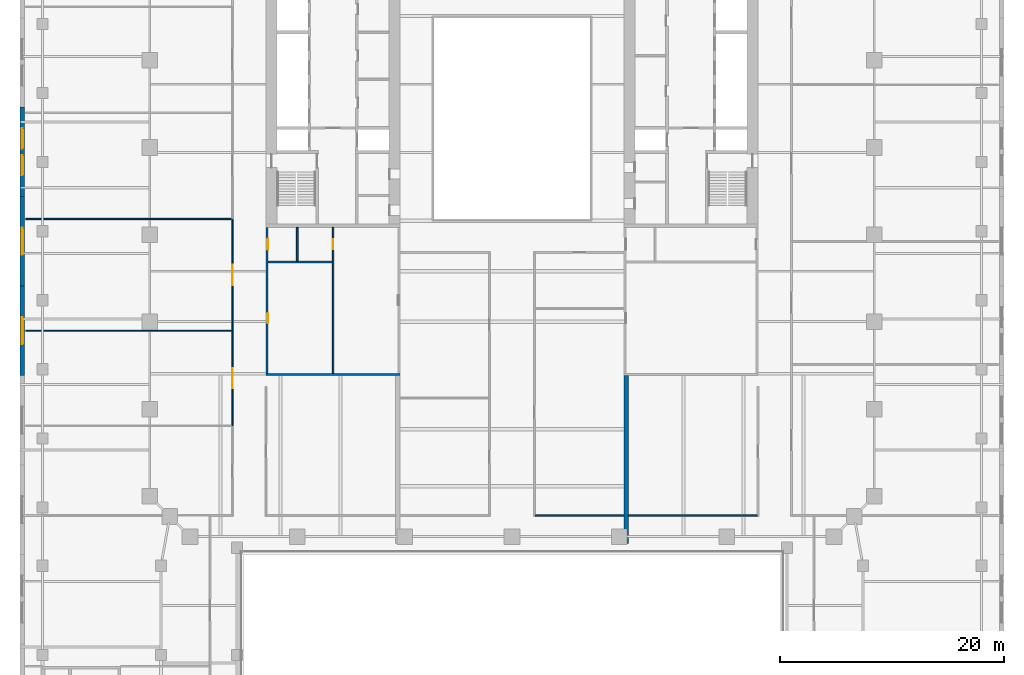
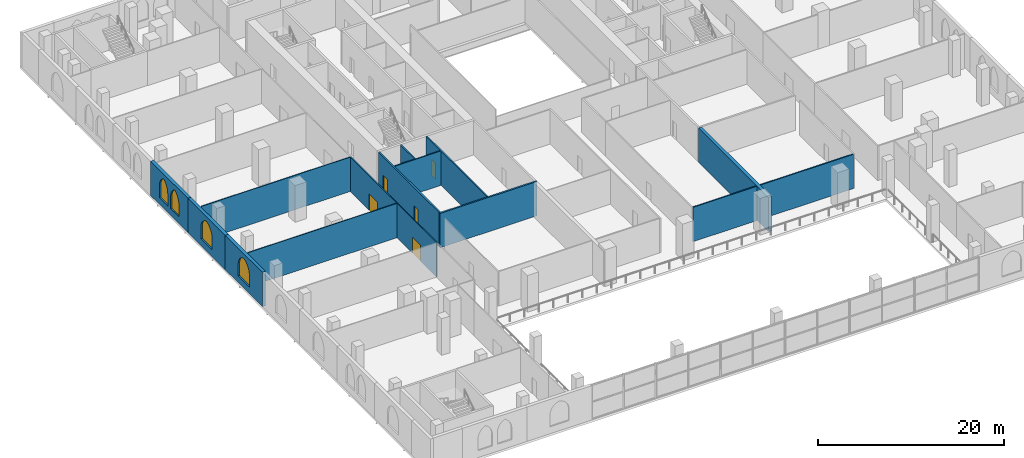
# One storey, part 9 of 19: 15 walls, 5 doors, 4 windows, 9 openings.
"""IFC4 building model written with IfcOpenShell, lengths in metres."""

from ifc_helpers import new_model, si_unit, direction, frame, frame_2d, origin, place, context, subcontext, project, spatial, polyline, rectangle, outline, extrude, material, layer, layer_set, type_object, element, fill, save


model = new_model("IFC4")

# Units and contexts
model_context = context("Model", 3, precision=1e-05, world=origin(), true_north=direction((0.0, 1.0)))
body_context = subcontext(model_context, "Body", "Model", "MODEL_VIEW")
ifc_project = project(units=[si_unit("LENGTHUNIT", "METRE"), si_unit("AREAUNIT", "SQUARE_METRE"), si_unit("VOLUMEUNIT", "CUBIC_METRE"), si_unit("PLANEANGLEUNIT", "RADIAN"), si_unit("MASSUNIT", "GRAM", prefix="KILO")], contexts=[model_context])

# Site, building, storey
site_placement = place(None, origin())
site = spatial("IfcSite", under=ifc_project, at=site_placement, CompositionType="ELEMENT")
building_placement = place(site_placement, origin())
building = spatial("IfcBuilding", under=site, at=building_placement, Name="Ogive Exchange Tower", CompositionType="ELEMENT")
storey_placement = place(building_placement, frame((0.0, 0.0, 19.199951171875)))
storey = spatial("IfcBuildingStorey", under=building, at=storey_placement, Name="L03", CompositionType="ELEMENT", Elevation=19.199951171875)

# Wall
ifc_material_1 = material(Name="Concrete C70/85", Category="concrete")
ifc_layer_1 = layer(ifc_material_1, 0.39990234375)
ifc_layer_set_1 = layer_set([ifc_layer_1], Name="Concrete C70/85 spine wall 400")
wall_type_1 = type_object("IfcWallType", Name="Concrete C70/85 spine wall 400", PredefinedType="SHEAR", material=ifc_layer_set_1)
wall_1_placement = place(storey_placement, frame((10.199951171875, -31.0, 0.0), z_axis=(0.0, 0.0, 1.0), x_axis=(0.0, 1.0, 0.0)))
element("IfcWall", 1, at=wall_1_placement, inside=storey, type_object=wall_type_1, Name="Spine wall SE", PredefinedType="SHEAR", context=body_context, shape_type="SweptSolid", body=[
    extrude(rectangle(XDim=15.0, YDim=0.39990234375, at=frame_2d((7.5, 0.0))), origin(), (0.0, 0.0, 1.0), 4.5),
])

# Wall, opening, door
ifc_material_2 = material(Name="Gypsum board partition")
ifc_layer_2 = layer(ifc_material_2, 0.14990234375)
ifc_layer_set_2 = layer_set([ifc_layer_2], Name="Core room partition 150 gypsum")
wall_type_2 = type_object("IfcWallType", Name="Core room partition 150 gypsum", PredefinedType="PARTITIONING", material=ifc_layer_set_2)
wall_2_placement = place(storey_placement, frame((-16.0, -15.800048828125, 0.0), z_axis=(0.0, 0.0, 1.0), x_axis=(0.0, 1.0, 0.0)))
wall_2 = element("IfcWall", 2, at=wall_2_placement, inside=storey, type_object=wall_type_2, Name="W annex S column wall", PredefinedType="PARTITIONING", context=body_context, shape_type="SweptSolid", body=[
    extrude(rectangle(XDim=13.050048828125, YDim=0.14990234375, at=frame_2d((6.52490234375, 0.0))), origin(), (0.0, 0.0, 1.0), 4.5),
])
opening_1_placement = place(wall_2_placement, frame((11.08740234375, 0.0, 0.0)))
opening_1 = element("IfcOpeningElement", 3, at=opening_1_placement, cuts=wall_2, Name="Opening L03-C22", PredefinedType="OPENING", context=body_context, shape_type="SweptSolid", body=[
    extrude(rectangle(XDim=0.89990234375, YDim=2.10009765625, at=frame_2d((0.449951171875, 1.050048828125))), frame((0.0, 0.0849609375, 0.0), z_axis=(0.0, -1.0, 0.0), x_axis=(1.0, 0.0, 0.0)), (0.0, 0.0, 1.0), 0.169921875),
])
ifc_material_3 = material(Name="Steel fire door", Category="steel")
door_type_1 = type_object("IfcDoorType", Name="Riser door FD60 900 x 2100", OperationType="NOTDEFINED", PredefinedType="DOOR", material=ifc_material_3)
door_1_placement = place(opening_1_placement, origin())
door_1 = element("IfcDoor", 4, at=door_1_placement, inside=storey, type_object=door_type_1, Name="Riser door", ObjectType="CD2", OperationType="SINGLE_SWING_LEFT", OverallHeight=2.10009765625, OverallWidth=0.89990234375, PredefinedType="DOOR", context=body_context, shape_type="SweptSolid", body=[
    extrude(rectangle(XDim=0.89990234375, YDim=2.10009765625, at=frame_2d((0.449951171875, 1.050048828125))), frame((0.0, 0.02490234375, 0.0), z_axis=(0.0, -1.0, 0.0), x_axis=(1.0, 0.0, 0.0)), (0.0, 0.0, 1.0), 0.050048828125),
])
fill(opening_1, door_1)

# Walls
wall_3_placement = place(storey_placement, frame((-21.800048828125, -5.85009765625, 0.0), z_axis=(0.0, 0.0, 1.0), x_axis=(1.0, 0.0, 0.0)))
element("IfcWall", 5, at=wall_3_placement, inside=storey, type_object=wall_type_2, Name="W annex S wc strip wall 00", PredefinedType="PARTITIONING", context=body_context, shape_type="SweptSolid", body=[
    extrude(rectangle(XDim=5.72509765625, YDim=0.14990234375, at=frame_2d((2.862548828125, 0.0))), origin(), (0.0, 0.0, 1.0), 4.5),
])
wall_4_placement = place(storey_placement, frame((-19.199951171875, -5.77490234375, 0.0), z_axis=(0.0, 0.0, 1.0), x_axis=(0.0, 1.0, 0.0)))
element("IfcWall", 6, at=wall_4_placement, inside=storey, type_object=wall_type_2, Name="W annex S wc partition 00", PredefinedType="PARTITIONING", context=body_context, shape_type="SweptSolid", body=[
    extrude(rectangle(XDim=3.02490234375, YDim=0.14990234375, at=frame_2d((1.512451171875, 0.0))), origin(), (0.0, 0.0, 1.0), 4.5),
])
ifc_material_4 = material(Name="Fire partition EI 60 150")
ifc_layer_3 = layer(ifc_material_4, 0.14990234375)
ifc_layer_set_3 = layer_set([ifc_layer_3], Name="Fire partition EI 60 150")
wall_type_3 = type_object("IfcWallType", Name="Fire partition EI 60 150", PredefinedType="PARTITIONING", material=ifc_layer_set_3)
wall_5_placement = place(storey_placement, frame((2.074951171875, -28.5, 0.0), z_axis=(0.0, 0.0, 1.0), x_axis=(1.0, 0.0, 0.0)))
element("IfcWall", 7, at=wall_5_placement, inside=storey, type_object=wall_type_3, Name="L03-PWL-010", PredefinedType="PARTITIONING", context=body_context, shape_type="SweptSolid", body=[
    extrude(rectangle(XDim=7.925048828125, YDim=0.14990234375, at=frame_2d((3.96240234375, 0.0))), origin(), (0.0, 0.0, 1.0), 4.5),
])
wall_6_placement = place(storey_placement, frame((10.39990234375, -28.5, 0.0), z_axis=(0.0, 0.0, 1.0), x_axis=(1.0, 0.0, 0.0)))
element("IfcWall", 8, at=wall_6_placement, inside=storey, type_object=wall_type_3, Name="L03-PWL-011", PredefinedType="PARTITIONING", context=body_context, shape_type="SweptSolid", body=[
    extrude(rectangle(XDim=11.525146484375, YDim=0.14990234375, at=frame_2d((5.7626953125, 0.0))), origin(), (0.0, 0.0, 1.0), 4.5),
])

# Wall, opening, door
ifc_material_5 = material(Name="Glazed fire partition EI 60 120")
ifc_layer_4 = layer(ifc_material_5, 0.1201171875)
ifc_layer_set_4 = layer_set([ifc_layer_4], Name="Glazed fire partition EI 60 120")
wall_type_4 = type_object("IfcWallType", Name="Glazed fire partition EI 60 120", PredefinedType="PARTITIONING", material=ifc_layer_set_4)
wall_7_placement = place(storey_placement, frame((-25.0, -20.5, 0.0), z_axis=(0.0, 0.0, 1.0), x_axis=(0.0, 1.0, 0.0)))
wall_7 = element("IfcWall", 9, at=wall_7_placement, inside=storey, type_object=wall_type_4, Name="L03-PWL-044", PredefinedType="PARTITIONING", context=body_context, shape_type="SweptSolid", body=[
    extrude(rectangle(XDim=8.5, YDim=0.1201171875, at=frame_2d((4.25, 0.0))), origin(), (0.0, 0.0, 1.0), 4.5),
])
opening_2_placement = place(wall_7_placement, frame((3.35009765625, 0.0, 0.0)))
opening_2 = element("IfcOpeningElement", 10, at=opening_2_placement, cuts=wall_7, Name="Opening L03-I04", PredefinedType="OPENING", context=body_context, shape_type="SweptSolid", body=[
    extrude(rectangle(XDim=1.800048828125, YDim=2.10009765625, at=frame_2d((0.89990234375, 1.050048828125))), frame((0.0, 0.070068359375, 0.0), z_axis=(0.0, -1.0, 0.0), x_axis=(1.0, 0.0, 0.0)), (0.0, 0.0, 1.0), 0.14013671875),
])
ifc_material_6 = material(Name="Fire door FD 30S 1800 x 2100")
door_type_2 = type_object("IfcDoorType", Name="Fire door FD 30S 1800 x 2100", OperationType="DOUBLE_DOOR_SINGLE_SWING", PredefinedType="DOOR", material=ifc_material_6)
door_2_placement = place(opening_2_placement, origin())
door_2 = element("IfcDoor", 11, at=door_2_placement, inside=storey, type_object=door_type_2, Name="L03-IDR-004", ObjectType="DT4", OperationType="SINGLE_SWING_RIGHT", OverallHeight=2.10009765625, OverallWidth=1.800048828125, PredefinedType="DOOR", context=body_context, shape_type="SweptSolid", body=[
    extrude(rectangle(XDim=1.800048828125, YDim=2.10009765625, at=frame_2d((0.89990234375, 1.050048828125))), frame((0.0, 0.02490234375, 0.0), z_axis=(0.0, -1.0, 0.0), x_axis=(1.0, 0.0, 0.0)), (0.0, 0.0, 1.0), 0.050048828125),
])
fill(opening_2, door_2)

wall_8_placement = place(storey_placement, frame((-25.0, -12.0, 0.0), z_axis=(0.0, 0.0, 1.0), x_axis=(0.0, 1.0, 0.0)))
wall_8 = element("IfcWall", 12, at=wall_8_placement, inside=storey, type_object=wall_type_4, Name="L03-PWL-045", PredefinedType="PARTITIONING", context=body_context, shape_type="SweptSolid", body=[
    extrude(rectangle(XDim=10.0, YDim=0.1201171875, at=frame_2d((5.0, 0.0))), origin(), (0.0, 0.0, 1.0), 4.5),
])
opening_3_placement = place(wall_8_placement, frame((4.10009765625, 0.0, 0.0)))
opening_3 = element("IfcOpeningElement", 13, at=opening_3_placement, cuts=wall_8, Name="Opening L03-I05", PredefinedType="OPENING", context=body_context, shape_type="SweptSolid", body=[
    extrude(rectangle(XDim=1.800048828125, YDim=2.10009765625, at=frame_2d((0.89990234375, 1.050048828125))), frame((0.0, 0.070068359375, 0.0), z_axis=(0.0, -1.0, 0.0), x_axis=(1.0, 0.0, 0.0)), (0.0, 0.0, 1.0), 0.14013671875),
])
door_3_placement = place(opening_3_placement, origin())
door_3 = element("IfcDoor", 14, at=door_3_placement, inside=storey, type_object=door_type_2, Name="L03-IDR-005", ObjectType="DT4", OperationType="SINGLE_SWING_RIGHT", OverallHeight=2.10009765625, OverallWidth=1.800048828125, PredefinedType="DOOR", context=body_context, shape_type="SweptSolid", body=[
    extrude(rectangle(XDim=1.800048828125, YDim=2.10009765625, at=frame_2d((0.89990234375, 1.050048828125))), frame((0.0, 0.02490234375, 0.0), z_axis=(0.0, -1.0, 0.0), x_axis=(1.0, 0.0, 0.0)), (0.0, 0.0, 1.0), 0.050048828125),
])
fill(opening_3, door_3)

# Wall, openings, windows
ifc_material_7 = material(Name="Precast concrete C40/50", Category="concrete")
ifc_layer_5 = layer(ifc_material_7, 0.39990234375)
ifc_layer_set_5 = layer_set([ifc_layer_5], Name="Limestone-faced wall 400")
wall_type_5 = type_object("IfcWallType", Name="Limestone-faced wall 400", PredefinedType="STANDARD", material=ifc_layer_set_5)
wall_9_placement = place(storey_placement, frame((-43.800048828125, 8.0, 0.0), z_axis=(0.0, 0.0, 1.0), x_axis=(0.0, -1.0, 0.0)))
wall_9 = element("IfcWall", 15, at=wall_9_placement, inside=storey, type_object=wall_type_5, Name="Podium wall W5", PredefinedType="STANDARD", context=body_context, shape_type="SweptSolid", body=[
    extrude(rectangle(XDim=8.0, YDim=0.39990234375, at=frame_2d((4.0, 0.0))), origin(), (0.0, 0.0, 1.0), 4.5),
])
opening_4_placement = place(wall_9_placement, frame((1.89990234375, 0.0, 0.89990234375)))
opening_4 = element("IfcOpeningElement", 16, at=opening_4_placement, cuts=wall_9, Name="Opening WQ300", PredefinedType="OPENING", context=body_context, shape_type="SweptSolid", body=[
    extrude(outline(polyline([(0.0, 0.0), (1.800048828125, 0.0), (1.800048828125, 1.5), (1.78466796875, 1.72900390625), (1.73828125, 1.953857421875), (1.662353515625, 2.17041015625), (1.557861328125, 2.374755859375), (1.4267578125, 2.56298828125), (1.271484375, 2.73193359375), (1.0947265625, 2.878662109375), (0.89990234375, 3.0), (0.705322265625, 2.878662109375), (0.528564453125, 2.73193359375), (0.373291015625, 2.56298828125), (0.2421875, 2.374755859375), (0.1376953125, 2.17041015625), (0.061767578125, 1.953857421875), (0.015380859375, 1.72900390625), (0.0, 1.5), (0.0, 0.0)])), frame((0.0, 0.2099609375, 0.0), z_axis=(0.0, -1.0, 0.0), x_axis=(1.0, 0.0, 0.0)), (0.0, 0.0, 1.0), 0.419921875),
])
opening_5_placement = place(wall_9_placement, frame((4.300048828125, 0.0, 0.89990234375)))
opening_5 = element("IfcOpeningElement", 17, at=opening_5_placement, cuts=wall_9, Name="Opening WQ300", PredefinedType="OPENING", context=body_context, shape_type="SweptSolid", body=[
    extrude(outline(polyline([(0.0, 0.0), (1.800048828125, 0.0), (1.800048828125, 1.5), (1.78466796875, 1.72900390625), (1.73828125, 1.953857421875), (1.662353515625, 2.17041015625), (1.557861328125, 2.374755859375), (1.4267578125, 2.56298828125), (1.271484375, 2.73193359375), (1.0947265625, 2.878662109375), (0.89990234375, 3.0), (0.705322265625, 2.878662109375), (0.528564453125, 2.73193359375), (0.373291015625, 2.56298828125), (0.2421875, 2.374755859375), (0.1376953125, 2.17041015625), (0.061767578125, 1.953857421875), (0.015380859375, 1.72900390625), (0.0, 1.5), (0.0, 0.0)])), frame((0.0, 0.2099609375, 0.0), z_axis=(0.0, -1.0, 0.0), x_axis=(1.0, 0.0, 0.0)), (0.0, 0.0, 1.0), 0.419921875),
])
ifc_material_8 = material(Name="Clear glass in bronze frame", Category="glass")
window_type_1 = type_object("IfcWindowType", Name="Podium paired lancet 1800 x 3000", PartitioningType="DOUBLE_PANEL_VERTICAL", PredefinedType="WINDOW", material=ifc_material_8)
window_1_placement = place(opening_4_placement, origin())
window_1 = element("IfcWindow", 18, at=window_1_placement, inside=storey, type_object=window_type_1, Name="Podium paired lancet W5.1", OverallHeight=3.0, OverallWidth=1.800048828125, PartitioningType="DOUBLE_PANEL_VERTICAL", PredefinedType="WINDOW", context=body_context, shape_type="SweptSolid", body=[
    extrude(outline(polyline([(0.0, 0.0), (1.800048828125, 0.0), (1.800048828125, 1.5), (1.78466796875, 1.72900390625), (1.73828125, 1.953857421875), (1.662353515625, 2.17041015625), (1.557861328125, 2.374755859375), (1.4267578125, 2.56298828125), (1.271484375, 2.73193359375), (1.0947265625, 2.878662109375), (0.89990234375, 3.0), (0.705322265625, 2.878662109375), (0.528564453125, 2.73193359375), (0.373291015625, 2.56298828125), (0.2421875, 2.374755859375), (0.1376953125, 2.17041015625), (0.061767578125, 1.953857421875), (0.015380859375, 1.72900390625), (0.0, 1.5), (0.0, 0.0)])), frame((0.0, 0.030029296875, 0.0), z_axis=(0.0, -1.0, 0.0), x_axis=(1.0, 0.0, 0.0)), (0.0, 0.0, 1.0), 0.06005859375),
])
fill(opening_4, window_1)
window_2_placement = place(opening_5_placement, origin())
window_2 = element("IfcWindow", 19, at=window_2_placement, inside=storey, type_object=window_type_1, Name="Podium paired lancet W5.2", OverallHeight=3.0, OverallWidth=1.800048828125, PartitioningType="DOUBLE_PANEL_VERTICAL", PredefinedType="WINDOW", context=body_context, shape_type="SweptSolid", body=[
    extrude(outline(polyline([(0.0, 0.0), (1.800048828125, 0.0), (1.800048828125, 1.5), (1.78466796875, 1.72900390625), (1.73828125, 1.953857421875), (1.662353515625, 2.17041015625), (1.557861328125, 2.374755859375), (1.4267578125, 2.56298828125), (1.271484375, 2.73193359375), (1.0947265625, 2.878662109375), (0.89990234375, 3.0), (0.705322265625, 2.878662109375), (0.528564453125, 2.73193359375), (0.373291015625, 2.56298828125), (0.2421875, 2.374755859375), (0.1376953125, 2.17041015625), (0.061767578125, 1.953857421875), (0.015380859375, 1.72900390625), (0.0, 1.5), (0.0, 0.0)])), frame((0.0, 0.030029296875, 0.0), z_axis=(0.0, -1.0, 0.0), x_axis=(1.0, 0.0, 0.0)), (0.0, 0.0, 1.0), 0.06005859375),
])
fill(opening_5, window_2)

# Wall, opening, window
wall_10_placement = place(storey_placement, frame((-43.800048828125, 0.0, 0.0), z_axis=(0.0, 0.0, 1.0), x_axis=(0.0, -1.0, 0.0)))
wall_10 = element("IfcWall", 20, at=wall_10_placement, inside=storey, type_object=wall_type_5, Name="Podium wall W6", PredefinedType="STANDARD", context=body_context, shape_type="SweptSolid", body=[
    extrude(rectangle(XDim=8.0, YDim=0.39990234375, at=frame_2d((4.0, 0.0))), origin(), (0.0, 0.0, 1.0), 4.5),
])
opening_6_placement = place(wall_10_placement, frame((2.800048828125, 0.0, 0.89990234375)))
opening_6 = element("IfcOpeningElement", 21, at=opening_6_placement, cuts=wall_10, Name="Opening WP300", PredefinedType="OPENING", context=body_context, shape_type="SweptSolid", body=[
    extrude(outline(polyline([(0.0, 0.0), (2.39990234375, 0.0), (2.39990234375, 1.5), (2.378173828125, 1.758056640625), (2.313232421875, 2.009033203125), (2.207275390625, 2.245361328125), (2.06298828125, 2.46044921875), (1.884765625, 2.6484375), (1.677490234375, 2.8037109375), (1.447021484375, 2.922119140625), (1.199951171875, 3.0), (0.952880859375, 2.922119140625), (0.722412109375, 2.8037109375), (0.51513671875, 2.6484375), (0.3369140625, 2.46044921875), (0.192626953125, 2.245361328125), (0.086669921875, 2.009033203125), (0.021728515625, 1.758056640625), (0.0, 1.5), (0.0, 0.0)])), frame((0.0, 0.2099609375, 0.0), z_axis=(0.0, -1.0, 0.0), x_axis=(1.0, 0.0, 0.0)), (0.0, 0.0, 1.0), 0.419921875),
])
window_type_2 = type_object("IfcWindowType", Name="Podium lancet window 2400 x 3000", PartitioningType="DOUBLE_PANEL_VERTICAL", PredefinedType="WINDOW", material=ifc_material_8)
window_3_placement = place(opening_6_placement, origin())
window_3 = element("IfcWindow", 22, at=window_3_placement, inside=storey, type_object=window_type_2, Name="Podium window W6", OverallHeight=3.0, OverallWidth=2.39990234375, PartitioningType="DOUBLE_PANEL_VERTICAL", PredefinedType="WINDOW", context=body_context, shape_type="SweptSolid", body=[
    extrude(outline(polyline([(0.0, 0.0), (2.39990234375, 0.0), (2.39990234375, 1.5), (2.378173828125, 1.758056640625), (2.313232421875, 2.009033203125), (2.207275390625, 2.245361328125), (2.06298828125, 2.46044921875), (1.884765625, 2.6484375), (1.677490234375, 2.8037109375), (1.447021484375, 2.922119140625), (1.199951171875, 3.0), (0.952880859375, 2.922119140625), (0.722412109375, 2.8037109375), (0.51513671875, 2.6484375), (0.3369140625, 2.46044921875), (0.192626953125, 2.245361328125), (0.086669921875, 2.009033203125), (0.021728515625, 1.758056640625), (0.0, 1.5), (0.0, 0.0)])), frame((0.0, 0.030029296875, 0.0), z_axis=(0.0, -1.0, 0.0), x_axis=(1.0, 0.0, 0.0)), (0.0, 0.0, 1.0), 0.06005859375),
])
fill(opening_6, window_3)

wall_11_placement = place(storey_placement, frame((-43.800048828125, -8.0, 0.0), z_axis=(0.0, 0.0, 1.0), x_axis=(0.0, -1.0, 0.0)))
wall_11 = element("IfcWall", 23, at=wall_11_placement, inside=storey, type_object=wall_type_5, Name="Podium wall W7", PredefinedType="STANDARD", context=body_context, shape_type="SweptSolid", body=[
    extrude(rectangle(XDim=8.0, YDim=0.39990234375, at=frame_2d((4.0, 0.0))), origin(), (0.0, 0.0, 1.0), 4.5),
])
opening_7_placement = place(wall_11_placement, frame((2.800048828125, 0.0, 0.89990234375)))
opening_7 = element("IfcOpeningElement", 24, at=opening_7_placement, cuts=wall_11, Name="Opening WP300", PredefinedType="OPENING", context=body_context, shape_type="SweptSolid", body=[
    extrude(outline(polyline([(0.0, 0.0), (2.39990234375, 0.0), (2.39990234375, 1.5), (2.378173828125, 1.758056640625), (2.313232421875, 2.009033203125), (2.207275390625, 2.245361328125), (2.06298828125, 2.46044921875), (1.884765625, 2.6484375), (1.677490234375, 2.8037109375), (1.447021484375, 2.922119140625), (1.199951171875, 3.0), (0.952880859375, 2.922119140625), (0.722412109375, 2.8037109375), (0.51513671875, 2.6484375), (0.3369140625, 2.46044921875), (0.192626953125, 2.245361328125), (0.086669921875, 2.009033203125), (0.021728515625, 1.758056640625), (0.0, 1.5), (0.0, 0.0)])), frame((0.0, 0.2099609375, 0.0), z_axis=(0.0, -1.0, 0.0), x_axis=(1.0, 0.0, 0.0)), (0.0, 0.0, 1.0), 0.419921875),
])
window_4_placement = place(opening_7_placement, origin())
window_4 = element("IfcWindow", 25, at=window_4_placement, inside=storey, type_object=window_type_2, Name="Podium window W7", OverallHeight=3.0, OverallWidth=2.39990234375, PartitioningType="DOUBLE_PANEL_VERTICAL", PredefinedType="WINDOW", context=body_context, shape_type="SweptSolid", body=[
    extrude(outline(polyline([(0.0, 0.0), (2.39990234375, 0.0), (2.39990234375, 1.5), (2.378173828125, 1.758056640625), (2.313232421875, 2.009033203125), (2.207275390625, 2.245361328125), (2.06298828125, 2.46044921875), (1.884765625, 2.6484375), (1.677490234375, 2.8037109375), (1.447021484375, 2.922119140625), (1.199951171875, 3.0), (0.952880859375, 2.922119140625), (0.722412109375, 2.8037109375), (0.51513671875, 2.6484375), (0.3369140625, 2.46044921875), (0.192626953125, 2.245361328125), (0.086669921875, 2.009033203125), (0.021728515625, 1.758056640625), (0.0, 1.5), (0.0, 0.0)])), frame((0.0, 0.030029296875, 0.0), z_axis=(0.0, -1.0, 0.0), x_axis=(1.0, 0.0, 0.0)), (0.0, 0.0, 1.0), 0.06005859375),
])
fill(opening_7, window_4)

# Walls
ifc_material_9 = material(Name="Partition 100 gypsum")
ifc_layer_6 = layer(ifc_material_9, 0.10009765625)
ifc_layer_set_6 = layer_set([ifc_layer_6], Name="Partition 100 gypsum")
wall_type_6 = type_object("IfcWallType", Name="Partition 100 gypsum", PredefinedType="PARTITIONING", material=ifc_layer_set_6)
for number, where, z_axis, x_axis, name in (
    (26, (-43.5, -12.0, 0.0), (0.0, 0.0, 1.0), (1.0, 0.0, 0.0), "L03-PWL-019"),
    (27, (-43.5, -2.0, 0.0), (0.0, 0.0, 1.0), (1.0, 0.0, 0.0), "L03-PWL-025"),
):
    element("IfcWall", number, at=place(storey_placement, frame(where, z_axis=z_axis, x_axis=x_axis)), inside=storey, type_object=wall_type_6, Name=name, PredefinedType="PARTITIONING", context=body_context, shape_type="SweptSolid", body=[
        extrude(rectangle(XDim=18.43994140625, YDim=0.10009765625, at=frame_2d((9.219970703125, 0.0))), origin(), (0.0, 0.0, 1.0), 4.5),
    ])

# Wall, openings, doors
ifc_layer_7 = layer(ifc_material_1, 0.199951171875)
ifc_layer_set_7 = layer_set([ifc_layer_7], Name="RC core wall 200 C70/85")
wall_type_7 = type_object("IfcWallType", Name="RC core wall 200 C70/85", PredefinedType="SHEAR", material=ifc_layer_set_7)
wall_12_placement = place(storey_placement, frame((-21.89990234375, -15.800048828125, 0.0), z_axis=(0.0, 0.0, 1.0), x_axis=(0.0, 1.0, 0.0)))
wall_12 = element("IfcWall", 28, at=wall_12_placement, inside=storey, type_object=wall_type_7, Name="W annex S outer wall", PredefinedType="SHEAR", context=body_context, shape_type="SweptSolid", body=[
    extrude(rectangle(XDim=13.050048828125, YDim=0.199951171875, at=frame_2d((6.52490234375, 0.0))), origin(), (0.0, 0.0, 1.0), 4.5),
])
opening_8_placement = place(wall_12_placement, frame((4.487548828125, 0.0, 0.0)))
opening_8 = element("IfcOpeningElement", 29, at=opening_8_placement, cuts=wall_12, Name="Opening L03-C20", PredefinedType="OPENING", context=body_context, shape_type="SweptSolid", body=[
    extrude(rectangle(XDim=0.89990234375, YDim=2.10009765625, at=frame_2d((0.449951171875, 1.050048828125))), frame((0.0, 0.10986328125, 0.0), z_axis=(0.0, -1.0, 0.0), x_axis=(1.0, 0.0, 0.0)), (0.0, 0.0, 1.0), 0.219970703125),
])
opening_9_placement = place(wall_12_placement, frame((11.03759765625, 0.0, 0.0)))
opening_9 = element("IfcOpeningElement", 30, at=opening_9_placement, cuts=wall_12, Name="Opening L03-C21", PredefinedType="OPENING", context=body_context, shape_type="SweptSolid", body=[
    extrude(rectangle(XDim=1.0, YDim=2.10009765625, at=frame_2d((0.5, 1.050048828125))), frame((0.0, 0.10986328125, 0.0), z_axis=(0.0, -1.0, 0.0), x_axis=(1.0, 0.0, 0.0)), (0.0, 0.0, 1.0), 0.219970703125),
])
ifc_material_10 = material(Name="Timber fire door", Category="wood")
door_type_3 = type_object("IfcDoorType", Name="Accessible WC door FD30S 1000 x 2100", OperationType="NOTDEFINED", PredefinedType="DOOR", material=ifc_material_10)
door_4_placement = place(opening_9_placement, frame((1.0, -0.14990234375, 0.0), z_axis=(0.0, 0.0, 1.0), x_axis=(-1.0, 0.0, 0.0)))
door_4 = element("IfcDoor", 31, at=door_4_placement, inside=storey, type_object=door_type_3, Name="Accessible WC door", ObjectType="CD7", OperationType="SINGLE_SWING_RIGHT", OverallHeight=2.10009765625, OverallWidth=1.0, PredefinedType="DOOR", context=body_context, shape_type="SweptSolid", body=[
    extrude(rectangle(XDim=1.0, YDim=2.10009765625, at=frame_2d((0.5, 1.050048828125))), frame((0.0, -0.0498046875, 0.0), z_axis=(0.0, -1.0, 0.0), x_axis=(1.0, 0.0, 0.0)), (0.0, 0.0, 1.0), 0.050048828125),
])
fill(opening_9, door_4)
door_type_4 = type_object("IfcDoorType", Name="Core room door FD30S 900 x 2100", OperationType="NOTDEFINED", PredefinedType="DOOR", material=ifc_material_10)
door_5_placement = place(opening_8_placement, frame((0.89990234375, -0.14990234375, 0.0), z_axis=(0.0, 0.0, 1.0), x_axis=(-1.0, 0.0, 0.0)))
door_5 = element("IfcDoor", 32, at=door_5_placement, inside=storey, type_object=door_type_4, Name="Core room door", ObjectType="CD6", OperationType="SINGLE_SWING_RIGHT", OverallHeight=2.10009765625, OverallWidth=0.89990234375, PredefinedType="DOOR", context=body_context, shape_type="SweptSolid", body=[
    extrude(rectangle(XDim=0.89990234375, YDim=2.10009765625, at=frame_2d((0.449951171875, 1.050048828125))), frame((0.0, -0.0498046875, 0.0), z_axis=(0.0, -1.0, 0.0), x_axis=(1.0, 0.0, 0.0)), (0.0, 0.0, 1.0), 0.050048828125),
])
fill(opening_8, door_5)

# Wall
wall_13_placement = place(storey_placement, frame((-22.0, -15.89990234375, 0.0), z_axis=(0.0, 0.0, 1.0), x_axis=(1.0, 0.0, 0.0)))
element("IfcWall", 33, at=wall_13_placement, inside=storey, type_object=wall_type_7, Name="W annex S end wall", PredefinedType="SHEAR", context=body_context, shape_type="SweptSolid", body=[
    extrude(rectangle(XDim=12.0, YDim=0.199951171875, at=frame_2d((6.0, 0.0))), origin(), (0.0, 0.0, 1.0), 4.5),
])

save(model, "model.ifc")
